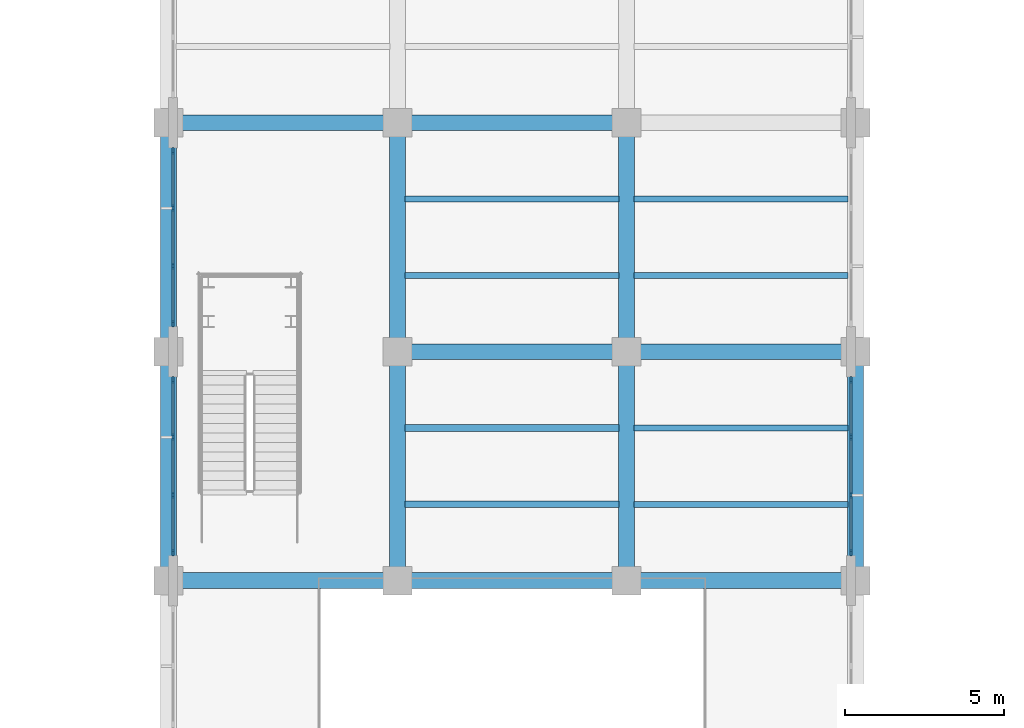
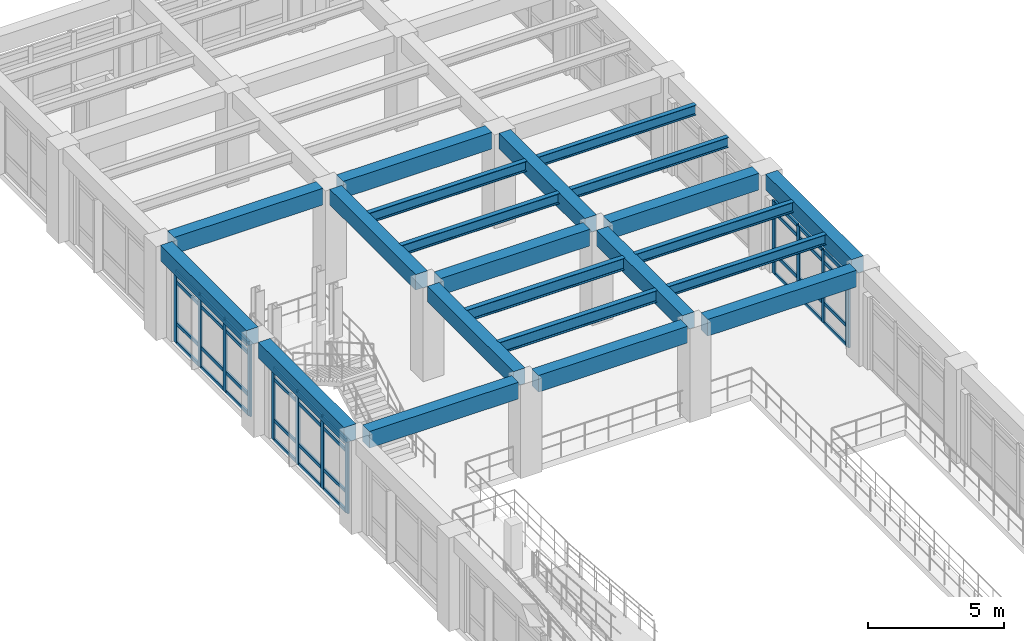
# One storey, part 18 of 69: 48 members, 22 beams, 3 elements without a shape of their own.
"""IFC4 building model written with IfcOpenShell, lengths in metres."""

from ifc_helpers import new_model, si_unit, direction, frame, origin, origin_2d, place, context, subcontext, project, spatial, rectangle, i_section, extrude, material, layer, layer_set, material_profile, profile_set, type_object, element, aggregate, save


model = new_model("IFC4")

# Units and contexts
model_context = context("Model", 3, precision=1e-05, world=origin(), true_north=direction((0.0, 1.0)))
body_context = subcontext(model_context, "Body", "Model", "MODEL_VIEW")
ifc_project = project(units=[si_unit("LENGTHUNIT", "METRE"), si_unit("AREAUNIT", "SQUARE_METRE"), si_unit("VOLUMEUNIT", "CUBIC_METRE"), si_unit("PLANEANGLEUNIT", "RADIAN"), si_unit("MASSUNIT", "GRAM", prefix="KILO")], contexts=[model_context])

# Site, building, storey
site_placement = place(None, origin())
site = spatial("IfcSite", under=ifc_project, at=site_placement, CompositionType="ELEMENT")
building_placement = place(site_placement, origin())
building = spatial("IfcBuilding", under=site, at=building_placement, Name="Solenvale Faculty of Natural Sciences", CompositionType="ELEMENT")
storey_placement = place(building_placement, frame((0.0, 0.0, 4.5)))
storey = spatial("IfcBuildingStorey", under=building, at=storey_placement, Name="L01", CompositionType="ELEMENT", Elevation=4.5)

# Beams
ifc_material_1 = material(Name="Concrete 40 MPa", Category="concrete")
ifc_material_profile_1 = material_profile(ifc_material_1, rectangle(XDim=0.5, YDim=0.699951171875, at=origin_2d()), Name="RC-BM-500x700")
ifc_profile_set_1 = profile_set([ifc_material_profile_1], Name="Concrete 40 MPa")
beam_type_1 = type_object("IfcBeamType", Name="BM-RC-500x700", PredefinedType="BEAM", material=ifc_profile_set_1)
for number, where, z_axis, x_axis, name in (
    (1, (36.0, 65.22998046875, 3.8701171875), (0.0, 1.0, 0.0), (-1.0, 0.0, 0.0), "L01 Y-Girder X36.0 (64.8..72.0)"),
    (2, (36.0, 72.429931640625, 3.8701171875), (0.0, 1.0, 0.0), (-1.0, 0.0, 0.0), "L01 Y-Girder X36.0 (72.0..79.2)"),
    (3, (43.199951171875, 65.22998046875, 3.8701171875), (0.0, 1.0, 0.0), (-1.0, 0.0, 0.0), "L01 Y-Girder X43.2 (64.8..72.0)"),
    (4, (43.199951171875, 72.429931640625, 3.8701171875), (0.0, 1.0, 0.0), (-1.0, 0.0, 0.0), "L01 Y-Girder X43.2 (72.0..79.2)"),
    (5, (50.39990234375, 65.22998046875, 3.8701171875), (0.0, 1.0, 0.0), (-1.0, 0.0, 0.0), "L01 Y-Girder X50.4 (64.8..72.0)"),
    (6, (50.39990234375, 72.429931640625, 3.8701171875), (0.0, 1.0, 0.0), (-1.0, 0.0, 0.0), "L01 Y-Girder X50.4 (72.0..79.2)"),
    (7, (57.60009765625, 65.22998046875, 3.8701171875), (0.0, 1.0, 0.0), (-1.0, 0.0, 0.0), "L01 Y-Girder X57.6 (64.8..72.0)"),
):
    element("IfcBeam", number, at=place(storey_placement, frame(where, z_axis=z_axis, x_axis=x_axis)), inside=storey, type_object=beam_type_1, Name=name, PredefinedType="BEAM", context=body_context, shape_type="SweptSolid", body=[
        extrude(rectangle(XDim=0.5, YDim=0.699951171875, at=origin_2d()), origin(), (0.0, 0.0, 1.0), 6.340087890625),
    ])
ifc_material_profile_2 = material_profile(ifc_material_1, rectangle(XDim=0.5, YDim=0.75, at=origin_2d()), Name="RC-BM-500x750")
ifc_profile_set_2 = profile_set([ifc_material_profile_2], Name="Concrete 40 MPa")
beam_type_2 = type_object("IfcBeamType", Name="BM-RC-500x750", PredefinedType="BEAM", material=ifc_profile_set_2)
for number, where, z_axis, x_axis, name in (
    (8, (36.429931640625, 64.800048828125, 3.844970703125), (1.0, 0.0, 0.0), (0.0, 1.0, 0.0), "L01 X-Girder Y64.8 (36.0..43.2)"),
    (9, (43.6298828125, 64.800048828125, 3.844970703125), (1.0, 0.0, 0.0), (0.0, 1.0, 0.0), "L01 X-Girder Y64.8 (43.2..50.4)"),
):
    element("IfcBeam", number, at=place(storey_placement, frame(where, z_axis=z_axis, x_axis=x_axis)), inside=storey, type_object=beam_type_2, Name=name, PredefinedType="BEAM", context=body_context, shape_type="SweptSolid", body=[
        extrude(rectangle(XDim=0.5, YDim=0.75, at=origin_2d()), origin(), (0.0, 0.0, 1.0), 6.340087890625),
    ])
beam_1_placement = place(storey_placement, frame((50.830078125, 64.800048828125, 3.844970703125), z_axis=(1.0, 0.0, 0.0), x_axis=(0.0, 1.0, 0.0)))
element("IfcBeam", 10, at=beam_1_placement, inside=storey, type_object=beam_type_2, Name="L01 X-Girder Y64.8 (50.4..57.6)", PredefinedType="BEAM", context=body_context, shape_type="SweptSolid", body=[
    extrude(rectangle(XDim=0.5, YDim=0.75, at=origin_2d()), origin(), (0.0, 0.0, 1.0), 6.33984375),
])
beam_2_placement = place(storey_placement, frame((43.6298828125, 72.0, 3.844970703125), z_axis=(1.0, 0.0, 0.0), x_axis=(0.0, 1.0, 0.0)))
element("IfcBeam", 11, at=beam_2_placement, inside=storey, type_object=beam_type_2, Name="L01 X-Girder Y72.0 (43.2..50.4)", PredefinedType="BEAM", context=body_context, shape_type="SweptSolid", body=[
    extrude(rectangle(XDim=0.5, YDim=0.75, at=origin_2d()), origin(), (0.0, 0.0, 1.0), 6.340087890625),
])
beam_3_placement = place(storey_placement, frame((50.830078125, 72.0, 3.844970703125), z_axis=(1.0, 0.0, 0.0), x_axis=(0.0, 1.0, 0.0)))
element("IfcBeam", 12, at=beam_3_placement, inside=storey, type_object=beam_type_2, Name="L01 X-Girder Y72.0 (50.4..57.6)", PredefinedType="BEAM", context=body_context, shape_type="SweptSolid", body=[
    extrude(rectangle(XDim=0.5, YDim=0.75, at=origin_2d()), origin(), (0.0, 0.0, 1.0), 6.33984375),
])
for number, where, z_axis, x_axis, name in (
    (13, (36.429931640625, 79.199951171875, 3.844970703125), (1.0, 0.0, 0.0), (0.0, 1.0, 0.0), "L01 X-Girder Y79.2 (36.0..43.2)"),
    (14, (43.6298828125, 79.199951171875, 3.844970703125), (1.0, 0.0, 0.0), (0.0, 1.0, 0.0), "L01 X-Girder Y79.2 (43.2..50.4)"),
):
    element("IfcBeam", number, at=place(storey_placement, frame(where, z_axis=z_axis, x_axis=x_axis)), inside=storey, type_object=beam_type_2, Name=name, PredefinedType="BEAM", context=body_context, shape_type="SweptSolid", body=[
        extrude(rectangle(XDim=0.5, YDim=0.75, at=origin_2d()), origin(), (0.0, 0.0, 1.0), 6.340087890625),
    ])
ifc_material_2 = material(Name="Steel S355", Category="steel")
ifc_material_profile_3 = material_profile(ifc_material_2, i_section(OverallWidth=0.194091796875, OverallDepth=0.468994140625, WebThickness=0.0126953125, FlangeThickness=0.0205078125, FilletRadius=0.01806640625, at=origin_2d()), Name="W460x106")
ifc_profile_set_3 = profile_set([ifc_material_profile_3], Name="Steel S355")
beam_type_3 = type_object("IfcBeamType", Name="BM-STL-W460x106", PredefinedType="JOIST", material=ifc_profile_set_3)
for number, where, z_axis, x_axis, name in (
    (15, (43.429931640625, 74.39990234375, 3.985595703125), (1.0, 0.0, 0.0), (0.0, 1.0, 0.0), "L01 Composite Floor Joist (7,11).1"),
    (16, (43.429931640625, 76.800048828125, 3.985595703125), (1.0, 0.0, 0.0), (0.0, 1.0, 0.0), "L01 Composite Floor Joist (7,11).2"),
):
    element("IfcBeam", number, at=place(storey_placement, frame(where, z_axis=z_axis, x_axis=x_axis)), inside=storey, type_object=beam_type_3, Name=name, PredefinedType="JOIST", context=body_context, shape_type="SweptSolid", body=[
        extrude(i_section(OverallWidth=0.194091796875, OverallDepth=0.468994140625, WebThickness=0.0126953125, FlangeThickness=0.0205078125, FilletRadius=0.01806640625, at=origin_2d()), origin(), (0.0, 0.0, 1.0), 6.739990234375),
    ])
for number, where, z_axis, x_axis, name in (
    (17, (50.6298828125, 67.199951171875, 3.985595703125), (1.0, 0.0, 0.0), (0.0, 1.0, 0.0), "L01 Composite Floor Joist (8,10).1"),
    (18, (50.6298828125, 69.60009765625, 3.985595703125), (1.0, 0.0, 0.0), (0.0, 1.0, 0.0), "L01 Composite Floor Joist (8,10).2"),
):
    element("IfcBeam", number, at=place(storey_placement, frame(where, z_axis=z_axis, x_axis=x_axis)), inside=storey, type_object=beam_type_3, Name=name, PredefinedType="JOIST", context=body_context, shape_type="SweptSolid", body=[
        extrude(i_section(OverallWidth=0.194091796875, OverallDepth=0.468994140625, WebThickness=0.0126953125, FlangeThickness=0.0205078125, FilletRadius=0.01806640625, at=origin_2d()), origin(), (0.0, 0.0, 1.0), 6.740234375),
    ])
ifc_material_profile_4 = material_profile(ifc_material_2, i_section(OverallWidth=0.19091796875, OverallDepth=0.4599609375, WebThickness=0.010009765625, FlangeThickness=0.01611328125, FilletRadius=0.01806640625, at=origin_2d()), Name="W460x82")
ifc_profile_set_4 = profile_set([ifc_material_profile_4], Name="Steel S355")
beam_type_4 = type_object("IfcBeamType", Name="BM-STL-W460x82", PredefinedType="JOIST", material=ifc_profile_set_4)
for number, where, z_axis, x_axis, name in (
    (19, (50.6298828125, 74.39990234375, 3.989990234375), (1.0, 0.0, 0.0), (0.0, 1.0, 0.0), "L01 Composite Floor Joist (8,11).1"),
    (20, (50.6298828125, 76.800048828125, 3.989990234375), (1.0, 0.0, 0.0), (0.0, 1.0, 0.0), "L01 Composite Floor Joist (8,11).2"),
):
    element("IfcBeam", number, at=place(storey_placement, frame(where, z_axis=z_axis, x_axis=x_axis)), inside=storey, type_object=beam_type_4, Name=name, PredefinedType="JOIST", context=body_context, shape_type="SweptSolid", body=[
        extrude(i_section(OverallWidth=0.19091796875, OverallDepth=0.4599609375, WebThickness=0.010009765625, FlangeThickness=0.01611328125, FilletRadius=0.01806640625, at=origin_2d()), origin(), (0.0, 0.0, 1.0), 6.740234375),
    ])
ifc_material_profile_5 = material_profile(ifc_material_2, i_section(OverallWidth=0.208984375, OverallDepth=0.532958984375, WebThickness=0.01025390625, FlangeThickness=0.015625, FilletRadius=0.01904296875, at=origin_2d()), Name="W530x92")
ifc_profile_set_5 = profile_set([ifc_material_profile_5], Name="Steel S355")
beam_type_5 = type_object("IfcBeamType", Name="BM-STL-W530x92", PredefinedType="JOIST", material=ifc_profile_set_5)
for number, where, z_axis, x_axis, name in (
    (21, (43.429931640625, 67.199951171875, 3.95361328125), (1.0, 0.0, 0.0), (0.0, 1.0, 0.0), "L01 Composite Floor Joist (7,10).1"),
    (22, (43.429931640625, 69.60009765625, 3.95361328125), (1.0, 0.0, 0.0), (0.0, 1.0, 0.0), "L01 Composite Floor Joist (7,10).2"),
):
    element("IfcBeam", number, at=place(storey_placement, frame(where, z_axis=z_axis, x_axis=x_axis)), inside=storey, type_object=beam_type_5, Name=name, PredefinedType="JOIST", context=body_context, shape_type="SweptSolid", body=[
        extrude(i_section(OverallWidth=0.208984375, OverallDepth=0.532958984375, WebThickness=0.01025390625, FlangeThickness=0.015625, FilletRadius=0.01904296875, at=origin_2d()), origin(), (0.0, 0.0, 1.0), 6.739990234375),
    ])

# Curtain wall, members
ifc_material_3 = material(Name="Anodised bronze aluminium", Category="aluminium")
ifc_layer = layer(ifc_material_3, 0.215087890625)
ifc_layer_set = layer_set([ifc_layer], Name="Anodised bronze aluminium")
curtain_wall_type = type_object("IfcCurtainWallType", Name="CW-ATR-UNIT", PredefinedType="USERDEFINED", material=ifc_layer_set)
curtain_wall_1_placement = place(storey_placement, origin())
curtain_wall_1 = element("IfcCurtainWall", 23, at=curtain_wall_1_placement, inside=storey, type_object=curtain_wall_type, Name="L01 Curtain Wall CW-L01-P1-E12-B4", ObjectType="UNITISED CURTAIN WALL", PredefinedType="USERDEFINED")
ifc_material_profile_6 = material_profile(ifc_material_3, rectangle(XDim=0.074951171875, YDim=0.2099609375, at=origin_2d()), Name="ALU-MUL-75x210")
ifc_profile_set_6 = profile_set([ifc_material_profile_6], Name="Anodised bronze aluminium")
member_type_1 = type_object("IfcMemberType", Name="CWM-ALU-75x210", PredefinedType="MULLION", material=ifc_profile_set_6)
member_1_placement = place(storey_placement, frame((57.45751953125, 65.6875, 0.0), z_axis=(0.0, 0.0, 1.0), x_axis=(-1.0, 0.0, 0.0)))
member_1 = element("IfcMember", 24, at=member_1_placement, type_object=member_type_1, Name="CW-01 mullion 1", PredefinedType="MULLION", context=body_context, shape_type="SweptSolid", body=[
    extrude(rectangle(XDim=0.074951171875, YDim=0.2099609375, at=origin_2d()), origin(), (0.0, 0.0, 1.0), 3.260009765625),
])
member_2_placement = place(storey_placement, frame((57.45751953125, 67.4833984375, 0.0), z_axis=(0.0, 0.0, 1.0), x_axis=(-1.0, 0.0, 0.0)))
member_2 = element("IfcMember", 25, at=member_2_placement, type_object=member_type_1, Name="CW-01 mullion 2", PredefinedType="MULLION", context=body_context, shape_type="SweptSolid", body=[
    extrude(rectangle(XDim=0.074951171875, YDim=0.2099609375, at=origin_2d()), origin(), (0.0, 0.0, 1.0), 3.260009765625),
])
member_3_placement = place(storey_placement, frame((57.45751953125, 69.316650390625, 0.0), z_axis=(0.0, 0.0, 1.0), x_axis=(-1.0, 0.0, 0.0)))
member_3 = element("IfcMember", 26, at=member_3_placement, type_object=member_type_1, Name="CW-01 mullion 3", PredefinedType="MULLION", context=body_context, shape_type="SweptSolid", body=[
    extrude(rectangle(XDim=0.074951171875, YDim=0.2099609375, at=origin_2d()), origin(), (0.0, 0.0, 1.0), 3.260009765625),
])
member_4_placement = place(storey_placement, frame((57.45751953125, 71.112548828125, 0.0), z_axis=(0.0, 0.0, 1.0), x_axis=(-1.0, 0.0, 0.0)))
member_4 = element("IfcMember", 27, at=member_4_placement, type_object=member_type_1, Name="CW-01 mullion 4", PredefinedType="MULLION", context=body_context, shape_type="SweptSolid", body=[
    extrude(rectangle(XDim=0.074951171875, YDim=0.2099609375, at=origin_2d()), origin(), (0.0, 0.0, 1.0), 3.260009765625),
])

curtain_wall_2_placement = place(storey_placement, origin())
curtain_wall_2 = element("IfcCurtainWall", 28, at=curtain_wall_2_placement, inside=storey, type_object=curtain_wall_type, Name="L01 Curtain Wall CW-L01-P1-E14-B3", ObjectType="UNITISED CURTAIN WALL", PredefinedType="USERDEFINED")
member_5_placement = place(storey_placement, frame((36.142578125, 78.3125, 0.0), z_axis=(0.0, 0.0, 1.0), x_axis=(1.0, 0.0, 0.0)))
member_5 = element("IfcMember", 29, at=member_5_placement, type_object=member_type_1, Name="CW-01 mullion 1", PredefinedType="MULLION", context=body_context, shape_type="SweptSolid", body=[
    extrude(rectangle(XDim=0.074951171875, YDim=0.2099609375, at=origin_2d()), origin(), (0.0, 0.0, 1.0), 3.260009765625),
])
member_6_placement = place(storey_placement, frame((36.142578125, 76.5166015625, 0.0), z_axis=(0.0, 0.0, 1.0), x_axis=(1.0, 0.0, 0.0)))
member_6 = element("IfcMember", 30, at=member_6_placement, type_object=member_type_1, Name="CW-01 mullion 2", PredefinedType="MULLION", context=body_context, shape_type="SweptSolid", body=[
    extrude(rectangle(XDim=0.074951171875, YDim=0.2099609375, at=origin_2d()), origin(), (0.0, 0.0, 1.0), 3.260009765625),
])
member_7_placement = place(storey_placement, frame((36.142578125, 74.683349609375, 0.0), z_axis=(0.0, 0.0, 1.0), x_axis=(1.0, 0.0, 0.0)))
member_7 = element("IfcMember", 31, at=member_7_placement, type_object=member_type_1, Name="CW-01 mullion 3", PredefinedType="MULLION", context=body_context, shape_type="SweptSolid", body=[
    extrude(rectangle(XDim=0.074951171875, YDim=0.2099609375, at=origin_2d()), origin(), (0.0, 0.0, 1.0), 3.260009765625),
])
member_8_placement = place(storey_placement, frame((36.142578125, 72.887451171875, 0.0), z_axis=(0.0, 0.0, 1.0), x_axis=(1.0, 0.0, 0.0)))
member_8 = element("IfcMember", 32, at=member_8_placement, type_object=member_type_1, Name="CW-01 mullion 4", PredefinedType="MULLION", context=body_context, shape_type="SweptSolid", body=[
    extrude(rectangle(XDim=0.074951171875, YDim=0.2099609375, at=origin_2d()), origin(), (0.0, 0.0, 1.0), 3.260009765625),
])

curtain_wall_3_placement = place(storey_placement, origin())
curtain_wall_3 = element("IfcCurtainWall", 33, at=curtain_wall_3_placement, inside=storey, type_object=curtain_wall_type, Name="L01 Curtain Wall CW-L01-P1-E14-B4", ObjectType="UNITISED CURTAIN WALL", PredefinedType="USERDEFINED")
member_9_placement = place(storey_placement, frame((36.142578125, 71.112548828125, 0.0), z_axis=(0.0, 0.0, 1.0), x_axis=(1.0, 0.0, 0.0)))
member_9 = element("IfcMember", 34, at=member_9_placement, type_object=member_type_1, Name="CW-01 mullion 1", PredefinedType="MULLION", context=body_context, shape_type="SweptSolid", body=[
    extrude(rectangle(XDim=0.074951171875, YDim=0.2099609375, at=origin_2d()), origin(), (0.0, 0.0, 1.0), 3.260009765625),
])
member_10_placement = place(storey_placement, frame((36.142578125, 69.316650390625, 0.0), z_axis=(0.0, 0.0, 1.0), x_axis=(1.0, 0.0, 0.0)))
member_10 = element("IfcMember", 35, at=member_10_placement, type_object=member_type_1, Name="CW-01 mullion 2", PredefinedType="MULLION", context=body_context, shape_type="SweptSolid", body=[
    extrude(rectangle(XDim=0.074951171875, YDim=0.2099609375, at=origin_2d()), origin(), (0.0, 0.0, 1.0), 3.260009765625),
])
member_11_placement = place(storey_placement, frame((36.142578125, 67.4833984375, 0.0), z_axis=(0.0, 0.0, 1.0), x_axis=(1.0, 0.0, 0.0)))
member_11 = element("IfcMember", 36, at=member_11_placement, type_object=member_type_1, Name="CW-01 mullion 3", PredefinedType="MULLION", context=body_context, shape_type="SweptSolid", body=[
    extrude(rectangle(XDim=0.074951171875, YDim=0.2099609375, at=origin_2d()), origin(), (0.0, 0.0, 1.0), 3.260009765625),
])
member_12_placement = place(storey_placement, frame((36.142578125, 65.6875, 0.0), z_axis=(0.0, 0.0, 1.0), x_axis=(1.0, 0.0, 0.0)))
member_12 = element("IfcMember", 37, at=member_12_placement, type_object=member_type_1, Name="CW-01 mullion 4", PredefinedType="MULLION", context=body_context, shape_type="SweptSolid", body=[
    extrude(rectangle(XDim=0.074951171875, YDim=0.2099609375, at=origin_2d()), origin(), (0.0, 0.0, 1.0), 3.260009765625),
])

# Member
ifc_material_profile_7 = material_profile(ifc_material_3, rectangle(XDim=0.074951171875, YDim=0.155029296875, at=origin_2d()), Name="ALU-TRN-75x155")
ifc_profile_set_7 = profile_set([ifc_material_profile_7], Name="Anodised bronze aluminium")
member_type_2 = type_object("IfcMemberType", Name="CWT-ALU-75x155", PredefinedType="USERDEFINED", material=ifc_profile_set_7)
member_13_placement = place(storey_placement, frame((57.45751953125, 65.72509765625, 0.03759765625), z_axis=(0.0, 1.0, 0.0), x_axis=(-1.0, 0.0, 0.0)))
member_13 = element("IfcMember", 38, at=member_13_placement, type_object=member_type_2, Name="CW-01 transom 1.1", ObjectType="TRANSOM", PredefinedType="USERDEFINED", context=body_context, shape_type="SweptSolid", body=[
    extrude(rectangle(XDim=0.074951171875, YDim=0.155029296875, at=origin_2d()), origin(), (0.0, 0.0, 1.0), 1.720703125),
])

member_14_placement = place(storey_placement, frame((57.45751953125, 65.72509765625, 0.89990234375), z_axis=(0.0, 1.0, 0.0), x_axis=(-1.0, 0.0, 0.0)))
member_14 = element("IfcMember", 39, at=member_14_placement, type_object=member_type_2, Name="CW-01 transom 1.2", ObjectType="TRANSOM", PredefinedType="USERDEFINED", context=body_context, shape_type="SweptSolid", body=[
    extrude(rectangle(XDim=0.074951171875, YDim=0.155029296875, at=origin_2d()), origin(), (0.0, 0.0, 1.0), 1.720703125),
])

member_15_placement = place(storey_placement, frame((57.45751953125, 65.72509765625, 2.760009765625), z_axis=(0.0, 1.0, 0.0), x_axis=(-1.0, 0.0, 0.0)))
member_15 = element("IfcMember", 40, at=member_15_placement, type_object=member_type_2, Name="CW-01 transom 1.3", ObjectType="TRANSOM", PredefinedType="USERDEFINED", context=body_context, shape_type="SweptSolid", body=[
    extrude(rectangle(XDim=0.074951171875, YDim=0.155029296875, at=origin_2d()), origin(), (0.0, 0.0, 1.0), 1.720703125),
])

member_16_placement = place(storey_placement, frame((57.45751953125, 65.72509765625, 3.222412109375), z_axis=(0.0, 1.0, 0.0), x_axis=(-1.0, 0.0, 0.0)))
member_16 = element("IfcMember", 41, at=member_16_placement, type_object=member_type_2, Name="CW-01 transom 1.4", ObjectType="TRANSOM", PredefinedType="USERDEFINED", context=body_context, shape_type="SweptSolid", body=[
    extrude(rectangle(XDim=0.074951171875, YDim=0.155029296875, at=origin_2d()), origin(), (0.0, 0.0, 1.0), 1.720703125),
])

member_17_placement = place(storey_placement, frame((57.45751953125, 67.520751953125, 0.03759765625), z_axis=(0.0, 1.0, 0.0), x_axis=(-1.0, 0.0, 0.0)))
member_17 = element("IfcMember", 42, at=member_17_placement, type_object=member_type_2, Name="CW-01 transom 2.1", ObjectType="TRANSOM", PredefinedType="USERDEFINED", context=body_context, shape_type="SweptSolid", body=[
    extrude(rectangle(XDim=0.074951171875, YDim=0.155029296875, at=origin_2d()), origin(), (0.0, 0.0, 1.0), 1.75830078125),
])

member_18_placement = place(storey_placement, frame((57.45751953125, 67.520751953125, 0.89990234375), z_axis=(0.0, 1.0, 0.0), x_axis=(-1.0, 0.0, 0.0)))
member_18 = element("IfcMember", 43, at=member_18_placement, type_object=member_type_2, Name="CW-01 transom 2.2", ObjectType="TRANSOM", PredefinedType="USERDEFINED", context=body_context, shape_type="SweptSolid", body=[
    extrude(rectangle(XDim=0.074951171875, YDim=0.155029296875, at=origin_2d()), origin(), (0.0, 0.0, 1.0), 1.75830078125),
])

member_19_placement = place(storey_placement, frame((57.45751953125, 67.520751953125, 2.760009765625), z_axis=(0.0, 1.0, 0.0), x_axis=(-1.0, 0.0, 0.0)))
member_19 = element("IfcMember", 44, at=member_19_placement, type_object=member_type_2, Name="CW-01 transom 2.3", ObjectType="TRANSOM", PredefinedType="USERDEFINED", context=body_context, shape_type="SweptSolid", body=[
    extrude(rectangle(XDim=0.074951171875, YDim=0.155029296875, at=origin_2d()), origin(), (0.0, 0.0, 1.0), 1.75830078125),
])

member_20_placement = place(storey_placement, frame((57.45751953125, 67.520751953125, 3.222412109375), z_axis=(0.0, 1.0, 0.0), x_axis=(-1.0, 0.0, 0.0)))
member_20 = element("IfcMember", 45, at=member_20_placement, type_object=member_type_2, Name="CW-01 transom 2.4", ObjectType="TRANSOM", PredefinedType="USERDEFINED", context=body_context, shape_type="SweptSolid", body=[
    extrude(rectangle(XDim=0.074951171875, YDim=0.155029296875, at=origin_2d()), origin(), (0.0, 0.0, 1.0), 1.75830078125),
])

member_21_placement = place(storey_placement, frame((57.45751953125, 69.354248046875, 0.03759765625), z_axis=(0.0, 1.0, 0.0), x_axis=(-1.0, 0.0, 0.0)))
member_21 = element("IfcMember", 46, at=member_21_placement, type_object=member_type_2, Name="CW-01 transom 3.1", ObjectType="TRANSOM", PredefinedType="USERDEFINED", context=body_context, shape_type="SweptSolid", body=[
    extrude(rectangle(XDim=0.074951171875, YDim=0.155029296875, at=origin_2d()), origin(), (0.0, 0.0, 1.0), 1.720703125),
])

member_22_placement = place(storey_placement, frame((57.45751953125, 69.354248046875, 0.89990234375), z_axis=(0.0, 1.0, 0.0), x_axis=(-1.0, 0.0, 0.0)))
member_22 = element("IfcMember", 47, at=member_22_placement, type_object=member_type_2, Name="CW-01 transom 3.2", ObjectType="TRANSOM", PredefinedType="USERDEFINED", context=body_context, shape_type="SweptSolid", body=[
    extrude(rectangle(XDim=0.074951171875, YDim=0.155029296875, at=origin_2d()), origin(), (0.0, 0.0, 1.0), 1.720703125),
])

member_23_placement = place(storey_placement, frame((57.45751953125, 69.354248046875, 2.760009765625), z_axis=(0.0, 1.0, 0.0), x_axis=(-1.0, 0.0, 0.0)))
member_23 = element("IfcMember", 48, at=member_23_placement, type_object=member_type_2, Name="CW-01 transom 3.3", ObjectType="TRANSOM", PredefinedType="USERDEFINED", context=body_context, shape_type="SweptSolid", body=[
    extrude(rectangle(XDim=0.074951171875, YDim=0.155029296875, at=origin_2d()), origin(), (0.0, 0.0, 1.0), 1.720703125),
])

member_24_placement = place(storey_placement, frame((57.45751953125, 69.354248046875, 3.222412109375), z_axis=(0.0, 1.0, 0.0), x_axis=(-1.0, 0.0, 0.0)))
member_24 = element("IfcMember", 49, at=member_24_placement, type_object=member_type_2, Name="CW-01 transom 3.4", ObjectType="TRANSOM", PredefinedType="USERDEFINED", context=body_context, shape_type="SweptSolid", body=[
    extrude(rectangle(XDim=0.074951171875, YDim=0.155029296875, at=origin_2d()), origin(), (0.0, 0.0, 1.0), 1.720703125),
])

aggregate(curtain_wall_1, [member_1, member_2, member_3, member_4, member_13, member_14, member_15, member_16, member_17, member_18, member_19, member_20, member_21, member_22, member_23, member_24])

member_25_placement = place(storey_placement, frame((36.142578125, 78.27490234375, 0.03759765625), z_axis=(0.0, -1.0, 0.0), x_axis=(1.0, 0.0, 0.0)))
member_25 = element("IfcMember", 50, at=member_25_placement, type_object=member_type_2, Name="CW-01 transom 1.1", ObjectType="TRANSOM", PredefinedType="USERDEFINED", context=body_context, shape_type="SweptSolid", body=[
    extrude(rectangle(XDim=0.074951171875, YDim=0.155029296875, at=origin_2d()), origin(), (0.0, 0.0, 1.0), 1.720703125),
])

member_26_placement = place(storey_placement, frame((36.142578125, 78.27490234375, 0.89990234375), z_axis=(0.0, -1.0, 0.0), x_axis=(1.0, 0.0, 0.0)))
member_26 = element("IfcMember", 51, at=member_26_placement, type_object=member_type_2, Name="CW-01 transom 1.2", ObjectType="TRANSOM", PredefinedType="USERDEFINED", context=body_context, shape_type="SweptSolid", body=[
    extrude(rectangle(XDim=0.074951171875, YDim=0.155029296875, at=origin_2d()), origin(), (0.0, 0.0, 1.0), 1.720703125),
])

member_27_placement = place(storey_placement, frame((36.142578125, 78.27490234375, 2.760009765625), z_axis=(0.0, -1.0, 0.0), x_axis=(1.0, 0.0, 0.0)))
member_27 = element("IfcMember", 52, at=member_27_placement, type_object=member_type_2, Name="CW-01 transom 1.3", ObjectType="TRANSOM", PredefinedType="USERDEFINED", context=body_context, shape_type="SweptSolid", body=[
    extrude(rectangle(XDim=0.074951171875, YDim=0.155029296875, at=origin_2d()), origin(), (0.0, 0.0, 1.0), 1.720703125),
])

member_28_placement = place(storey_placement, frame((36.142578125, 78.27490234375, 3.222412109375), z_axis=(0.0, -1.0, 0.0), x_axis=(1.0, 0.0, 0.0)))
member_28 = element("IfcMember", 53, at=member_28_placement, type_object=member_type_2, Name="CW-01 transom 1.4", ObjectType="TRANSOM", PredefinedType="USERDEFINED", context=body_context, shape_type="SweptSolid", body=[
    extrude(rectangle(XDim=0.074951171875, YDim=0.155029296875, at=origin_2d()), origin(), (0.0, 0.0, 1.0), 1.720703125),
])

member_29_placement = place(storey_placement, frame((36.142578125, 76.479248046875, 0.03759765625), z_axis=(0.0, -1.0, 0.0), x_axis=(1.0, 0.0, 0.0)))
member_29 = element("IfcMember", 54, at=member_29_placement, type_object=member_type_2, Name="CW-01 transom 2.1", ObjectType="TRANSOM", PredefinedType="USERDEFINED", context=body_context, shape_type="SweptSolid", body=[
    extrude(rectangle(XDim=0.074951171875, YDim=0.155029296875, at=origin_2d()), origin(), (0.0, 0.0, 1.0), 1.75830078125),
])

member_30_placement = place(storey_placement, frame((36.142578125, 76.479248046875, 0.89990234375), z_axis=(0.0, -1.0, 0.0), x_axis=(1.0, 0.0, 0.0)))
member_30 = element("IfcMember", 55, at=member_30_placement, type_object=member_type_2, Name="CW-01 transom 2.2", ObjectType="TRANSOM", PredefinedType="USERDEFINED", context=body_context, shape_type="SweptSolid", body=[
    extrude(rectangle(XDim=0.074951171875, YDim=0.155029296875, at=origin_2d()), origin(), (0.0, 0.0, 1.0), 1.75830078125),
])

member_31_placement = place(storey_placement, frame((36.142578125, 76.479248046875, 2.760009765625), z_axis=(0.0, -1.0, 0.0), x_axis=(1.0, 0.0, 0.0)))
member_31 = element("IfcMember", 56, at=member_31_placement, type_object=member_type_2, Name="CW-01 transom 2.3", ObjectType="TRANSOM", PredefinedType="USERDEFINED", context=body_context, shape_type="SweptSolid", body=[
    extrude(rectangle(XDim=0.074951171875, YDim=0.155029296875, at=origin_2d()), origin(), (0.0, 0.0, 1.0), 1.75830078125),
])

member_32_placement = place(storey_placement, frame((36.142578125, 76.479248046875, 3.222412109375), z_axis=(0.0, -1.0, 0.0), x_axis=(1.0, 0.0, 0.0)))
member_32 = element("IfcMember", 57, at=member_32_placement, type_object=member_type_2, Name="CW-01 transom 2.4", ObjectType="TRANSOM", PredefinedType="USERDEFINED", context=body_context, shape_type="SweptSolid", body=[
    extrude(rectangle(XDim=0.074951171875, YDim=0.155029296875, at=origin_2d()), origin(), (0.0, 0.0, 1.0), 1.75830078125),
])

member_33_placement = place(storey_placement, frame((36.142578125, 74.645751953125, 0.03759765625), z_axis=(0.0, -1.0, 0.0), x_axis=(1.0, 0.0, 0.0)))
member_33 = element("IfcMember", 58, at=member_33_placement, type_object=member_type_2, Name="CW-01 transom 3.1", ObjectType="TRANSOM", PredefinedType="USERDEFINED", context=body_context, shape_type="SweptSolid", body=[
    extrude(rectangle(XDim=0.074951171875, YDim=0.155029296875, at=origin_2d()), origin(), (0.0, 0.0, 1.0), 1.720703125),
])

member_34_placement = place(storey_placement, frame((36.142578125, 74.645751953125, 0.89990234375), z_axis=(0.0, -1.0, 0.0), x_axis=(1.0, 0.0, 0.0)))
member_34 = element("IfcMember", 59, at=member_34_placement, type_object=member_type_2, Name="CW-01 transom 3.2", ObjectType="TRANSOM", PredefinedType="USERDEFINED", context=body_context, shape_type="SweptSolid", body=[
    extrude(rectangle(XDim=0.074951171875, YDim=0.155029296875, at=origin_2d()), origin(), (0.0, 0.0, 1.0), 1.720703125),
])

member_35_placement = place(storey_placement, frame((36.142578125, 74.645751953125, 2.760009765625), z_axis=(0.0, -1.0, 0.0), x_axis=(1.0, 0.0, 0.0)))
member_35 = element("IfcMember", 60, at=member_35_placement, type_object=member_type_2, Name="CW-01 transom 3.3", ObjectType="TRANSOM", PredefinedType="USERDEFINED", context=body_context, shape_type="SweptSolid", body=[
    extrude(rectangle(XDim=0.074951171875, YDim=0.155029296875, at=origin_2d()), origin(), (0.0, 0.0, 1.0), 1.720703125),
])

member_36_placement = place(storey_placement, frame((36.142578125, 74.645751953125, 3.222412109375), z_axis=(0.0, -1.0, 0.0), x_axis=(1.0, 0.0, 0.0)))
member_36 = element("IfcMember", 61, at=member_36_placement, type_object=member_type_2, Name="CW-01 transom 3.4", ObjectType="TRANSOM", PredefinedType="USERDEFINED", context=body_context, shape_type="SweptSolid", body=[
    extrude(rectangle(XDim=0.074951171875, YDim=0.155029296875, at=origin_2d()), origin(), (0.0, 0.0, 1.0), 1.720703125),
])

aggregate(curtain_wall_2, [member_5, member_6, member_7, member_8, member_25, member_26, member_27, member_28, member_29, member_30, member_31, member_32, member_33, member_34, member_35, member_36])

member_37_placement = place(storey_placement, frame((36.142578125, 71.074951171875, 0.03759765625), z_axis=(0.0, -1.0, 0.0), x_axis=(1.0, 0.0, 0.0)))
member_37 = element("IfcMember", 62, at=member_37_placement, type_object=member_type_2, Name="CW-01 transom 1.1", ObjectType="TRANSOM", PredefinedType="USERDEFINED", context=body_context, shape_type="SweptSolid", body=[
    extrude(rectangle(XDim=0.074951171875, YDim=0.155029296875, at=origin_2d()), origin(), (0.0, 0.0, 1.0), 1.720703125),
])

member_38_placement = place(storey_placement, frame((36.142578125, 71.074951171875, 0.89990234375), z_axis=(0.0, -1.0, 0.0), x_axis=(1.0, 0.0, 0.0)))
member_38 = element("IfcMember", 63, at=member_38_placement, type_object=member_type_2, Name="CW-01 transom 1.2", ObjectType="TRANSOM", PredefinedType="USERDEFINED", context=body_context, shape_type="SweptSolid", body=[
    extrude(rectangle(XDim=0.074951171875, YDim=0.155029296875, at=origin_2d()), origin(), (0.0, 0.0, 1.0), 1.720703125),
])

member_39_placement = place(storey_placement, frame((36.142578125, 71.074951171875, 2.760009765625), z_axis=(0.0, -1.0, 0.0), x_axis=(1.0, 0.0, 0.0)))
member_39 = element("IfcMember", 64, at=member_39_placement, type_object=member_type_2, Name="CW-01 transom 1.3", ObjectType="TRANSOM", PredefinedType="USERDEFINED", context=body_context, shape_type="SweptSolid", body=[
    extrude(rectangle(XDim=0.074951171875, YDim=0.155029296875, at=origin_2d()), origin(), (0.0, 0.0, 1.0), 1.720703125),
])

member_40_placement = place(storey_placement, frame((36.142578125, 71.074951171875, 3.222412109375), z_axis=(0.0, -1.0, 0.0), x_axis=(1.0, 0.0, 0.0)))
member_40 = element("IfcMember", 65, at=member_40_placement, type_object=member_type_2, Name="CW-01 transom 1.4", ObjectType="TRANSOM", PredefinedType="USERDEFINED", context=body_context, shape_type="SweptSolid", body=[
    extrude(rectangle(XDim=0.074951171875, YDim=0.155029296875, at=origin_2d()), origin(), (0.0, 0.0, 1.0), 1.720703125),
])

member_41_placement = place(storey_placement, frame((36.142578125, 69.279052734375, 0.03759765625), z_axis=(0.0, -1.0, 0.0), x_axis=(1.0, 0.0, 0.0)))
member_41 = element("IfcMember", 66, at=member_41_placement, type_object=member_type_2, Name="CW-01 transom 2.1", ObjectType="TRANSOM", PredefinedType="USERDEFINED", context=body_context, shape_type="SweptSolid", body=[
    extrude(rectangle(XDim=0.074951171875, YDim=0.155029296875, at=origin_2d()), origin(), (0.0, 0.0, 1.0), 1.75830078125),
])

member_42_placement = place(storey_placement, frame((36.142578125, 69.279052734375, 0.89990234375), z_axis=(0.0, -1.0, 0.0), x_axis=(1.0, 0.0, 0.0)))
member_42 = element("IfcMember", 67, at=member_42_placement, type_object=member_type_2, Name="CW-01 transom 2.2", ObjectType="TRANSOM", PredefinedType="USERDEFINED", context=body_context, shape_type="SweptSolid", body=[
    extrude(rectangle(XDim=0.074951171875, YDim=0.155029296875, at=origin_2d()), origin(), (0.0, 0.0, 1.0), 1.75830078125),
])

member_43_placement = place(storey_placement, frame((36.142578125, 69.279052734375, 2.760009765625), z_axis=(0.0, -1.0, 0.0), x_axis=(1.0, 0.0, 0.0)))
member_43 = element("IfcMember", 68, at=member_43_placement, type_object=member_type_2, Name="CW-01 transom 2.3", ObjectType="TRANSOM", PredefinedType="USERDEFINED", context=body_context, shape_type="SweptSolid", body=[
    extrude(rectangle(XDim=0.074951171875, YDim=0.155029296875, at=origin_2d()), origin(), (0.0, 0.0, 1.0), 1.75830078125),
])

member_44_placement = place(storey_placement, frame((36.142578125, 69.279052734375, 3.222412109375), z_axis=(0.0, -1.0, 0.0), x_axis=(1.0, 0.0, 0.0)))
member_44 = element("IfcMember", 69, at=member_44_placement, type_object=member_type_2, Name="CW-01 transom 2.4", ObjectType="TRANSOM", PredefinedType="USERDEFINED", context=body_context, shape_type="SweptSolid", body=[
    extrude(rectangle(XDim=0.074951171875, YDim=0.155029296875, at=origin_2d()), origin(), (0.0, 0.0, 1.0), 1.75830078125),
])

member_45_placement = place(storey_placement, frame((36.142578125, 67.44580078125, 0.03759765625), z_axis=(0.0, -1.0, 0.0), x_axis=(1.0, 0.0, 0.0)))
member_45 = element("IfcMember", 70, at=member_45_placement, type_object=member_type_2, Name="CW-01 transom 3.1", ObjectType="TRANSOM", PredefinedType="USERDEFINED", context=body_context, shape_type="SweptSolid", body=[
    extrude(rectangle(XDim=0.074951171875, YDim=0.155029296875, at=origin_2d()), origin(), (0.0, 0.0, 1.0), 1.720703125),
])

member_46_placement = place(storey_placement, frame((36.142578125, 67.44580078125, 0.89990234375), z_axis=(0.0, -1.0, 0.0), x_axis=(1.0, 0.0, 0.0)))
member_46 = element("IfcMember", 71, at=member_46_placement, type_object=member_type_2, Name="CW-01 transom 3.2", ObjectType="TRANSOM", PredefinedType="USERDEFINED", context=body_context, shape_type="SweptSolid", body=[
    extrude(rectangle(XDim=0.074951171875, YDim=0.155029296875, at=origin_2d()), origin(), (0.0, 0.0, 1.0), 1.720703125),
])

member_47_placement = place(storey_placement, frame((36.142578125, 67.44580078125, 2.760009765625), z_axis=(0.0, -1.0, 0.0), x_axis=(1.0, 0.0, 0.0)))
member_47 = element("IfcMember", 72, at=member_47_placement, type_object=member_type_2, Name="CW-01 transom 3.3", ObjectType="TRANSOM", PredefinedType="USERDEFINED", context=body_context, shape_type="SweptSolid", body=[
    extrude(rectangle(XDim=0.074951171875, YDim=0.155029296875, at=origin_2d()), origin(), (0.0, 0.0, 1.0), 1.720703125),
])

member_48_placement = place(storey_placement, frame((36.142578125, 67.44580078125, 3.222412109375), z_axis=(0.0, -1.0, 0.0), x_axis=(1.0, 0.0, 0.0)))
member_48 = element("IfcMember", 73, at=member_48_placement, type_object=member_type_2, Name="CW-01 transom 3.4", ObjectType="TRANSOM", PredefinedType="USERDEFINED", context=body_context, shape_type="SweptSolid", body=[
    extrude(rectangle(XDim=0.074951171875, YDim=0.155029296875, at=origin_2d()), origin(), (0.0, 0.0, 1.0), 1.720703125),
])

aggregate(curtain_wall_3, [member_9, member_10, member_11, member_12, member_37, member_38, member_39, member_40, member_41, member_42, member_43, member_44, member_45, member_46, member_47, member_48])

save(model, "model.ifc")
